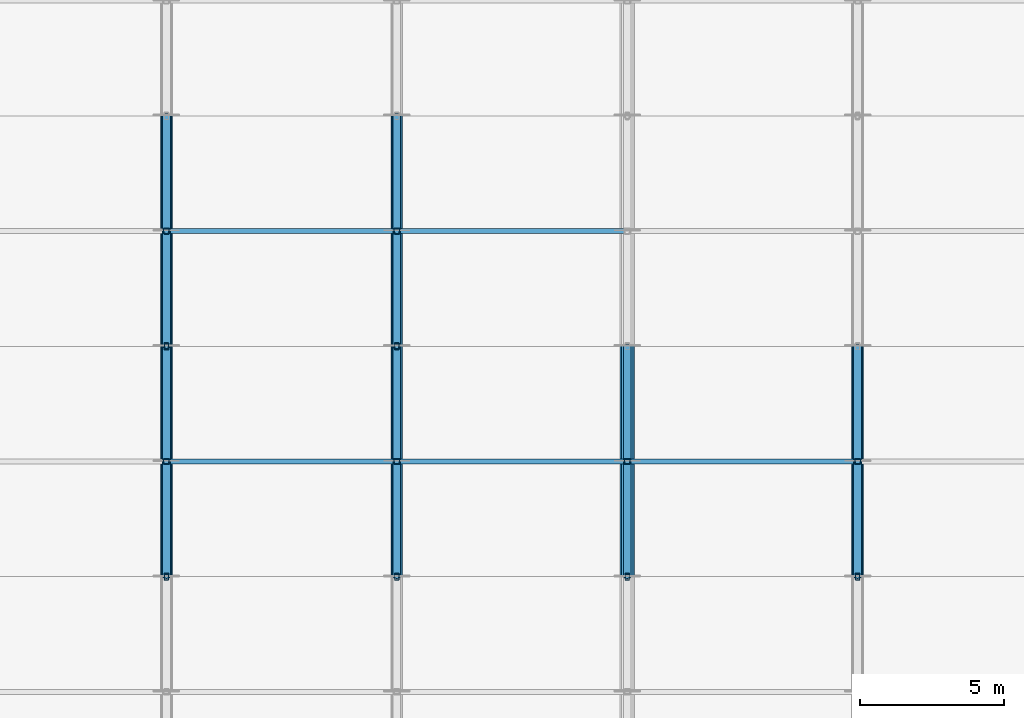
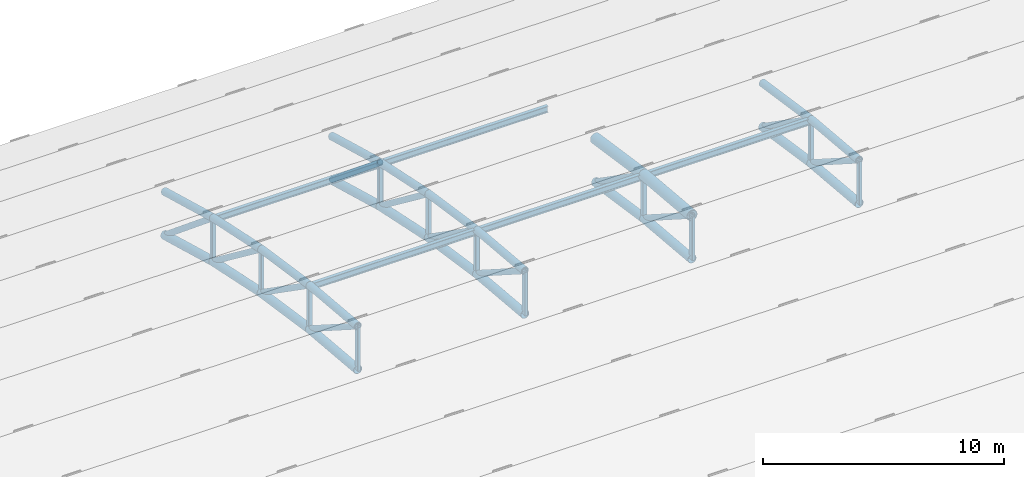
# One storey, part 51 of 98: 53 members.
"""IFC4 building model written with IfcOpenShell, lengths in metres."""

from ifc_helpers import new_model, si_unit, direction, frame, origin, origin_2d, place, context, subcontext, project, spatial, hollow_rectangle, hollow_circle, i_section, extrude, material, material_profile, profile_set, type_object, element, save


model = new_model("IFC4")

# Units and contexts
model_context = context("Model", 3, precision=1e-05, world=origin(), true_north=direction((0.0, 1.0)))
body_context = subcontext(model_context, "Body", "Model", "MODEL_VIEW")
ifc_project = project(units=[si_unit("LENGTHUNIT", "METRE"), si_unit("AREAUNIT", "SQUARE_METRE"), si_unit("VOLUMEUNIT", "CUBIC_METRE"), si_unit("PLANEANGLEUNIT", "RADIAN"), si_unit("MASSUNIT", "GRAM", prefix="KILO")], contexts=[model_context])

# Site, building, storey
site_placement = place(None, origin())
site = spatial("IfcSite", under=ifc_project, at=site_placement, CompositionType="ELEMENT")
building_placement = place(site_placement, origin())
building = spatial("IfcBuilding", under=site, at=building_placement, Name="Tlacozan Convention Centre", CompositionType="ELEMENT")
storey_placement = place(building_placement, frame((0.0, 0.0, 25.800048828125)))
storey = spatial("IfcBuildingStorey", under=building, at=storey_placement, Name="Roof", CompositionType="ELEMENT", Elevation=25.800048828125)

# Members
ifc_material_1 = material(Name="Steel ASTM A500 Grade C", Category="steel")
ifc_material_profile_1 = material_profile(ifc_material_1, hollow_circle(Radius=0.203125, WallThickness=0.015869140625, at=origin_2d()), Name="OC 406.4x15.9")
ifc_profile_set_1 = profile_set([ifc_material_profile_1], Name="Steel ASTM A500 Grade C")
member_type_1 = type_object("IfcMemberType", Name="Arch Bottom Chord OC 406.4x15.9", PredefinedType="CHORD", material=ifc_profile_set_1)
member_1_placement = place(storey_placement, frame((128.0, 98.0, -4.917724609375), z_axis=(0.0, 0.996095959668, -0.088277058926), x_axis=(-1.0, 0.0, 0.0)))
element("IfcMember", 1, at=member_1_placement, inside=storey, type_object=member_type_1, Name="V2A Roof Truss 17 Bottom Chord 10", PredefinedType="CHORD", context=body_context, shape_type="SweptSolid", body=[
    extrude(hollow_circle(Radius=0.203125, WallThickness=0.015869140625, at=origin_2d()), origin(), (0.0, 0.0, 1.0), 4.015625),
])
member_2_placement = place(storey_placement, frame((128.0, 102.0, -5.272216796875), z_axis=(0.0, 0.98911804631, -0.147124064872), x_axis=(-1.0, 0.0, 0.0)))
element("IfcMember", 2, at=member_2_placement, inside=storey, type_object=member_type_1, Name="V2A Roof Truss 17 Bottom Chord 11", PredefinedType="CHORD", context=body_context, shape_type="SweptSolid", body=[
    extrude(hollow_circle(Radius=0.203125, WallThickness=0.015869140625, at=origin_2d()), origin(), (0.0, 0.0, 1.0), 4.0439453125),
])
member_3_placement = place(storey_placement, frame((128.0, 106.0, -5.8671875), z_axis=(0.0, 0.978552953366, -0.205995430674), x_axis=(-1.0, 0.0, 0.0)))
element("IfcMember", 3, at=member_3_placement, inside=storey, type_object=member_type_1, Name="V2A Roof Truss 17 Bottom Chord 12", PredefinedType="CHORD", context=body_context, shape_type="SweptSolid", body=[
    extrude(hollow_circle(Radius=0.203125, WallThickness=0.015869140625, at=origin_2d()), origin(), (0.0, 0.0, 1.0), 4.087646484375),
])
member_4_placement = place(storey_placement, frame((128.0, 110.0, -6.709228515625), z_axis=(0.0, 0.964289609145, -0.26485005134), x_axis=(-1.0, 0.0, 0.0)))
element("IfcMember", 4, at=member_4_placement, inside=storey, type_object=member_type_1, Name="V2A Roof Truss 17 Bottom Chord 13", PredefinedType="CHORD", context=body_context, shape_type="SweptSolid", body=[
    extrude(hollow_circle(Radius=0.203125, WallThickness=0.015869140625, at=origin_2d()), origin(), (0.0, 0.0, 1.0), 4.148193359375),
])
member_5_placement = place(storey_placement, frame((136.0, 98.0, -4.917724609375), z_axis=(0.0, 0.996095959668, -0.088277058926), x_axis=(-1.0, 0.0, 0.0)))
element("IfcMember", 5, at=member_5_placement, inside=storey, type_object=member_type_1, Name="V2A Roof Truss 18 Bottom Chord 10", PredefinedType="CHORD", context=body_context, shape_type="SweptSolid", body=[
    extrude(hollow_circle(Radius=0.203125, WallThickness=0.015869140625, at=origin_2d()), origin(), (0.0, 0.0, 1.0), 4.015625),
])
member_6_placement = place(storey_placement, frame((136.0, 102.0, -5.272216796875), z_axis=(0.0, 0.98911804631, -0.147124064872), x_axis=(-1.0, 0.0, 0.0)))
element("IfcMember", 6, at=member_6_placement, inside=storey, type_object=member_type_1, Name="V2A Roof Truss 18 Bottom Chord 11", PredefinedType="CHORD", context=body_context, shape_type="SweptSolid", body=[
    extrude(hollow_circle(Radius=0.203125, WallThickness=0.015869140625, at=origin_2d()), origin(), (0.0, 0.0, 1.0), 4.0439453125),
])
member_7_placement = place(storey_placement, frame((136.0, 106.0, -5.8671875), z_axis=(0.0, 0.978552953366, -0.205995430674), x_axis=(-1.0, 0.0, 0.0)))
element("IfcMember", 7, at=member_7_placement, inside=storey, type_object=member_type_1, Name="V2A Roof Truss 18 Bottom Chord 12", PredefinedType="CHORD", context=body_context, shape_type="SweptSolid", body=[
    extrude(hollow_circle(Radius=0.203125, WallThickness=0.015869140625, at=origin_2d()), origin(), (0.0, 0.0, 1.0), 4.087646484375),
])
member_8_placement = place(storey_placement, frame((136.0, 110.0, -6.709228515625), z_axis=(0.0, 0.964289609145, -0.26485005134), x_axis=(-1.0, 0.0, 0.0)))
element("IfcMember", 8, at=member_8_placement, inside=storey, type_object=member_type_1, Name="V2A Roof Truss 18 Bottom Chord 13", PredefinedType="CHORD", context=body_context, shape_type="SweptSolid", body=[
    extrude(hollow_circle(Radius=0.203125, WallThickness=0.015869140625, at=origin_2d()), origin(), (0.0, 0.0, 1.0), 4.148193359375),
])
member_9_placement = place(storey_placement, frame((144.0, 98.0, -4.917724609375), z_axis=(0.0, 0.996095959668, -0.088277058926), x_axis=(-1.0, 0.0, 0.0)))
element("IfcMember", 9, at=member_9_placement, inside=storey, type_object=member_type_1, Name="V2A Roof Truss 19 Bottom Chord 10", PredefinedType="CHORD", context=body_context, shape_type="SweptSolid", body=[
    extrude(hollow_circle(Radius=0.203125, WallThickness=0.015869140625, at=origin_2d()), origin(), (0.0, 0.0, 1.0), 4.015625),
])
member_10_placement = place(storey_placement, frame((144.0, 102.0, -5.272216796875), z_axis=(0.0, 0.98911804631, -0.147124064872), x_axis=(-1.0, 0.0, 0.0)))
element("IfcMember", 10, at=member_10_placement, inside=storey, type_object=member_type_1, Name="V2A Roof Truss 19 Bottom Chord 11", PredefinedType="CHORD", context=body_context, shape_type="SweptSolid", body=[
    extrude(hollow_circle(Radius=0.203125, WallThickness=0.015869140625, at=origin_2d()), origin(), (0.0, 0.0, 1.0), 4.0439453125),
])
member_11_placement = place(storey_placement, frame((152.0, 98.0, -4.917724609375), z_axis=(0.0, 0.996095959668, -0.088277058926), x_axis=(-1.0, 0.0, 0.0)))
element("IfcMember", 11, at=member_11_placement, inside=storey, type_object=member_type_1, Name="V2A Roof Truss 20 Bottom Chord 10", PredefinedType="CHORD", context=body_context, shape_type="SweptSolid", body=[
    extrude(hollow_circle(Radius=0.203125, WallThickness=0.015869140625, at=origin_2d()), origin(), (0.0, 0.0, 1.0), 4.015625),
])
member_12_placement = place(storey_placement, frame((152.0, 102.0, -5.272216796875), z_axis=(0.0, 0.98911804631, -0.147124064872), x_axis=(-1.0, 0.0, 0.0)))
element("IfcMember", 12, at=member_12_placement, inside=storey, type_object=member_type_1, Name="V2A Roof Truss 20 Bottom Chord 11", PredefinedType="CHORD", context=body_context, shape_type="SweptSolid", body=[
    extrude(hollow_circle(Radius=0.203125, WallThickness=0.015869140625, at=origin_2d()), origin(), (0.0, 0.0, 1.0), 4.0439453125),
])
ifc_material_profile_2 = material_profile(ifc_material_1, hollow_circle(Radius=0.25390625, WallThickness=0.01904296875, at=origin_2d()), Name="OC 508.0x19.1")
ifc_profile_set_2 = profile_set([ifc_material_profile_2], Name="Steel ASTM A500 Grade C")
member_type_2 = type_object("IfcMemberType", Name="Arch Top Chord OC 508x19.1", PredefinedType="CHORD", material=ifc_profile_set_2)
member_13_placement = place(storey_placement, frame((144.0, 98.0, -2.7177734375), z_axis=(0.0, 0.996095959668, -0.088277058926), x_axis=(-1.0, 0.0, 0.0)))
element("IfcMember", 13, at=member_13_placement, inside=storey, type_object=member_type_2, Name="V2A Roof Truss 19 Top Chord 10", PredefinedType="CHORD", context=body_context, shape_type="SweptSolid", body=[
    extrude(hollow_circle(Radius=0.25390625, WallThickness=0.01904296875, at=origin_2d()), origin(), (0.0, 0.0, 1.0), 4.015625),
])
member_14_placement = place(storey_placement, frame((144.0, 102.0, -3.072265625), z_axis=(0.0, 0.98911804631, -0.147124064872), x_axis=(-1.0, 0.0, 0.0)))
element("IfcMember", 14, at=member_14_placement, inside=storey, type_object=member_type_2, Name="V2A Roof Truss 19 Top Chord 11", PredefinedType="CHORD", context=body_context, shape_type="SweptSolid", body=[
    extrude(hollow_circle(Radius=0.25390625, WallThickness=0.01904296875, at=origin_2d()), origin(), (0.0, 0.0, 1.0), 4.0439453125),
])
ifc_material_profile_3 = material_profile(ifc_material_1, hollow_circle(Radius=0.136474609375, WallThickness=0.0126953125, at=origin_2d()), Name="OC 273.1x12.7")
ifc_profile_set_3 = profile_set([ifc_material_profile_3], Name="Steel ASTM A500 Grade C")
member_type_3 = type_object("IfcMemberType", Name="Arch Web Diagonal OC 273.1x12.7", PredefinedType="BRACE", material=ifc_profile_set_3)
member_15_placement = place(storey_placement, frame((128.0, 98.0, -2.7177734375), z_axis=(0.0, 0.842802563321, -0.538222852785), x_axis=(-1.0, 0.0, 0.0)))
element("IfcMember", 15, at=member_15_placement, inside=storey, type_object=member_type_3, Name="V2A Roof Truss 17 Web Diagonal 10", PredefinedType="BRACE", context=body_context, shape_type="SweptSolid", body=[
    extrude(hollow_circle(Radius=0.136474609375, WallThickness=0.0126953125, at=origin_2d()), origin(), (0.0, 0.0, 1.0), 4.74609375),
])
member_16_placement = place(storey_placement, frame((128.0, 102.0, -3.072265625), z_axis=(0.0, 0.819720523855, -0.572763705877), x_axis=(-1.0, 0.0, 0.0)))
element("IfcMember", 16, at=member_16_placement, inside=storey, type_object=member_type_3, Name="V2A Roof Truss 17 Web Diagonal 11", PredefinedType="BRACE", context=body_context, shape_type="SweptSolid", body=[
    extrude(hollow_circle(Radius=0.136474609375, WallThickness=0.0126953125, at=origin_2d()), origin(), (0.0, 0.0, 1.0), 4.879638671875),
])
member_17_placement = place(storey_placement, frame((128.0, 106.0, -3.667236328125), z_axis=(0.0, 0.795971176065, -0.605334524766), x_axis=(-1.0, 0.0, 0.0)))
element("IfcMember", 17, at=member_17_placement, inside=storey, type_object=member_type_3, Name="V2A Roof Truss 17 Web Diagonal 12", PredefinedType="BRACE", context=body_context, shape_type="SweptSolid", body=[
    extrude(hollow_circle(Radius=0.136474609375, WallThickness=0.0126953125, at=origin_2d()), origin(), (0.0, 0.0, 1.0), 5.025390625),
])
member_18_placement = place(storey_placement, frame((128.0, 110.0, -4.50927734375), z_axis=(0.0, 0.771507331308, -0.63622043172), x_axis=(-1.0, 0.0, 0.0)))
element("IfcMember", 18, at=member_18_placement, inside=storey, type_object=member_type_3, Name="V2A Roof Truss 17 Web Diagonal 13", PredefinedType="BRACE", context=body_context, shape_type="SweptSolid", body=[
    extrude(hollow_circle(Radius=0.136474609375, WallThickness=0.0126953125, at=origin_2d()), origin(), (0.0, 0.0, 1.0), 5.1845703125),
])
member_19_placement = place(storey_placement, frame((136.0, 98.0, -2.7177734375), z_axis=(0.0, 0.842802563321, -0.538222852785), x_axis=(-1.0, 0.0, 0.0)))
element("IfcMember", 19, at=member_19_placement, inside=storey, type_object=member_type_3, Name="V2A Roof Truss 18 Web Diagonal 10", PredefinedType="BRACE", context=body_context, shape_type="SweptSolid", body=[
    extrude(hollow_circle(Radius=0.136474609375, WallThickness=0.0126953125, at=origin_2d()), origin(), (0.0, 0.0, 1.0), 4.74609375),
])
member_20_placement = place(storey_placement, frame((136.0, 102.0, -3.072265625), z_axis=(0.0, 0.819720523855, -0.572763705877), x_axis=(-1.0, 0.0, 0.0)))
element("IfcMember", 20, at=member_20_placement, inside=storey, type_object=member_type_3, Name="V2A Roof Truss 18 Web Diagonal 11", PredefinedType="BRACE", context=body_context, shape_type="SweptSolid", body=[
    extrude(hollow_circle(Radius=0.136474609375, WallThickness=0.0126953125, at=origin_2d()), origin(), (0.0, 0.0, 1.0), 4.879638671875),
])
member_21_placement = place(storey_placement, frame((136.0, 106.0, -3.667236328125), z_axis=(0.0, 0.795971176065, -0.605334524766), x_axis=(-1.0, 0.0, 0.0)))
element("IfcMember", 21, at=member_21_placement, inside=storey, type_object=member_type_3, Name="V2A Roof Truss 18 Web Diagonal 12", PredefinedType="BRACE", context=body_context, shape_type="SweptSolid", body=[
    extrude(hollow_circle(Radius=0.136474609375, WallThickness=0.0126953125, at=origin_2d()), origin(), (0.0, 0.0, 1.0), 5.025390625),
])
member_22_placement = place(storey_placement, frame((136.0, 110.0, -4.50927734375), z_axis=(0.0, 0.771507331308, -0.63622043172), x_axis=(-1.0, 0.0, 0.0)))
element("IfcMember", 22, at=member_22_placement, inside=storey, type_object=member_type_3, Name="V2A Roof Truss 18 Web Diagonal 13", PredefinedType="BRACE", context=body_context, shape_type="SweptSolid", body=[
    extrude(hollow_circle(Radius=0.136474609375, WallThickness=0.0126953125, at=origin_2d()), origin(), (0.0, 0.0, 1.0), 5.1845703125),
])
member_23_placement = place(storey_placement, frame((144.0, 98.0, -2.7177734375), z_axis=(0.0, 0.842802563321, -0.538222852785), x_axis=(-1.0, 0.0, 0.0)))
element("IfcMember", 23, at=member_23_placement, inside=storey, type_object=member_type_3, Name="V2A Roof Truss 19 Web Diagonal 10", PredefinedType="BRACE", context=body_context, shape_type="SweptSolid", body=[
    extrude(hollow_circle(Radius=0.136474609375, WallThickness=0.0126953125, at=origin_2d()), origin(), (0.0, 0.0, 1.0), 4.74609375),
])
member_24_placement = place(storey_placement, frame((144.0, 102.0, -3.072265625), z_axis=(0.0, 0.819720523855, -0.572763705877), x_axis=(-1.0, 0.0, 0.0)))
element("IfcMember", 24, at=member_24_placement, inside=storey, type_object=member_type_3, Name="V2A Roof Truss 19 Web Diagonal 11", PredefinedType="BRACE", context=body_context, shape_type="SweptSolid", body=[
    extrude(hollow_circle(Radius=0.136474609375, WallThickness=0.0126953125, at=origin_2d()), origin(), (0.0, 0.0, 1.0), 4.879638671875),
])
member_25_placement = place(storey_placement, frame((152.0, 98.0, -2.7177734375), z_axis=(0.0, 0.842802563321, -0.538222852785), x_axis=(-1.0, 0.0, 0.0)))
element("IfcMember", 25, at=member_25_placement, inside=storey, type_object=member_type_3, Name="V2A Roof Truss 20 Web Diagonal 10", PredefinedType="BRACE", context=body_context, shape_type="SweptSolid", body=[
    extrude(hollow_circle(Radius=0.136474609375, WallThickness=0.0126953125, at=origin_2d()), origin(), (0.0, 0.0, 1.0), 4.74609375),
])
member_26_placement = place(storey_placement, frame((152.0, 102.0, -3.072265625), z_axis=(0.0, 0.819720523855, -0.572763705877), x_axis=(-1.0, 0.0, 0.0)))
element("IfcMember", 26, at=member_26_placement, inside=storey, type_object=member_type_3, Name="V2A Roof Truss 20 Web Diagonal 11", PredefinedType="BRACE", context=body_context, shape_type="SweptSolid", body=[
    extrude(hollow_circle(Radius=0.136474609375, WallThickness=0.0126953125, at=origin_2d()), origin(), (0.0, 0.0, 1.0), 4.879638671875),
])
ifc_material_profile_4 = material_profile(ifc_material_1, hollow_rectangle(XDim=0.203125, YDim=0.203125, WallThickness=0.0126953125, InnerFilletRadius=0.0126953125, OuterFilletRadius=0.02490234375, at=origin_2d()), Name="OR 203x203x12.7")
ifc_profile_set_4 = profile_set([ifc_material_profile_4], Name="Steel ASTM A500 Grade C")
member_type_4 = type_object("IfcMemberType", Name="Arch Web Strut OR 203x203x12.7", PredefinedType="STRUT", material=ifc_profile_set_4)
for number, where, z_axis, x_axis, name in (
    (27, (128.0, 102.0, -5.272216796875), (0.0, 0.0, 1.0), (1.0, 0.0, 0.0), "V2A Roof Truss 17 Vertical Strut 11"),
    (28, (128.0, 110.0, -6.709228515625), (0.0, 0.0, 1.0), (1.0, 0.0, 0.0), "V2A Roof Truss 17 Vertical Strut 13"),
    (29, (136.0, 102.0, -5.272216796875), (0.0, 0.0, 1.0), (1.0, 0.0, 0.0), "V2A Roof Truss 18 Vertical Strut 11"),
    (30, (136.0, 110.0, -6.709228515625), (0.0, 0.0, 1.0), (1.0, 0.0, 0.0), "V2A Roof Truss 18 Vertical Strut 13"),
    (31, (144.0, 102.0, -5.272216796875), (0.0, 0.0, 1.0), (1.0, 0.0, 0.0), "V2A Roof Truss 19 Vertical Strut 11"),
    (32, (152.0, 102.0, -5.272216796875), (0.0, 0.0, 1.0), (1.0, 0.0, 0.0), "V2A Roof Truss 20 Vertical Strut 11"),
):
    element("IfcMember", number, at=place(storey_placement, frame(where, z_axis=z_axis, x_axis=x_axis)), inside=storey, type_object=member_type_4, Name=name, PredefinedType="STRUT", context=body_context, shape_type="SweptSolid", body=[
        extrude(hollow_rectangle(XDim=0.203125, YDim=0.203125, WallThickness=0.0126953125, InnerFilletRadius=0.0126953125, OuterFilletRadius=0.02490234375, at=origin_2d()), origin(), (0.0, 0.0, 1.0), 2.199951171875),
    ])
ifc_material_2 = material(Name="Steel ASTM A992 Grade 50", Category="steel")
ifc_material_profile_5 = material_profile(ifc_material_2, i_section(OverallWidth=0.1669921875, OverallDepth=0.31689453125, WebThickness=0.007568359375, FlangeThickness=0.01318359375, FilletRadius=0.010009765625, at=origin_2d()), Name="IR 305x52.2")
ifc_profile_set_5 = profile_set([ifc_material_profile_5], Name="Steel ASTM A992 Grade 50")
member_type_5 = type_object("IfcMemberType", Name="Roof Purlin IR 305x52.2", PredefinedType="PURLIN", material=ifc_profile_set_5)
for number, where, z_axis, x_axis, name in (
    (33, (128.0, 102.0, -3.13720703125), (1.0, 0.0, 0.0), (0.0, 1.0, 0.0), "V2A Roof Truss Purlin 17.11"),
    (34, (128.0, 110.0, -4.57421875), (1.0, 0.0, 0.0), (0.0, 1.0, 0.0), "V2A Roof Truss Purlin 17.13"),
    (35, (136.0, 102.0, -3.13720703125), (1.0, 0.0, 0.0), (0.0, 1.0, 0.0), "V2A Roof Truss Purlin 18.11"),
    (36, (136.0, 110.0, -4.57421875), (1.0, 0.0, 0.0), (0.0, 1.0, 0.0), "V2A Roof Truss Purlin 18.13"),
    (37, (144.0, 102.0, -3.13720703125), (1.0, 0.0, 0.0), (0.0, 1.0, 0.0), "V2A Roof Truss Purlin 19.11"),
):
    element("IfcMember", number, at=place(storey_placement, frame(where, z_axis=z_axis, x_axis=x_axis)), inside=storey, type_object=member_type_5, Name=name, PredefinedType="PURLIN", context=body_context, shape_type="SweptSolid", body=[
        extrude(i_section(OverallWidth=0.1669921875, OverallDepth=0.31689453125, WebThickness=0.007568359375, FlangeThickness=0.01318359375, FilletRadius=0.010009765625, at=origin_2d()), origin(), (0.0, 0.0, 1.0), 8.0),
    ])
ifc_material_profile_6 = material_profile(ifc_material_1, hollow_circle(Radius=0.177734375, WallThickness=0.015869140625, at=origin_2d()), Name="OC 355.6x15.9")
ifc_profile_set_6 = profile_set([ifc_material_profile_6], Name="Steel ASTM A500 Grade C")
member_type_6 = type_object("IfcMemberType", Name="Secondary Arch Chord OC 355.6x15.9", PredefinedType="CHORD", material=ifc_profile_set_6)
member_27_placement = place(storey_placement, frame((128.0, 98.0, -2.7177734375), z_axis=(0.0, 0.996095959668, -0.088277058926), x_axis=(-1.0, 0.0, 0.0)))
element("IfcMember", 38, at=member_27_placement, inside=storey, type_object=member_type_6, Name="V2A Roof Truss 17 Top Chord 10", PredefinedType="CHORD", context=body_context, shape_type="SweptSolid", body=[
    extrude(hollow_circle(Radius=0.177734375, WallThickness=0.015869140625, at=origin_2d()), origin(), (0.0, 0.0, 1.0), 4.015625),
])
member_28_placement = place(storey_placement, frame((128.0, 102.0, -3.072265625), z_axis=(0.0, 0.98911804631, -0.147124064872), x_axis=(-1.0, 0.0, 0.0)))
element("IfcMember", 39, at=member_28_placement, inside=storey, type_object=member_type_6, Name="V2A Roof Truss 17 Top Chord 11", PredefinedType="CHORD", context=body_context, shape_type="SweptSolid", body=[
    extrude(hollow_circle(Radius=0.177734375, WallThickness=0.015869140625, at=origin_2d()), origin(), (0.0, 0.0, 1.0), 4.0439453125),
])
member_29_placement = place(storey_placement, frame((128.0, 106.0, -3.667236328125), z_axis=(0.0, 0.978552953366, -0.205995430674), x_axis=(-1.0, 0.0, 0.0)))
element("IfcMember", 40, at=member_29_placement, inside=storey, type_object=member_type_6, Name="V2A Roof Truss 17 Top Chord 12", PredefinedType="CHORD", context=body_context, shape_type="SweptSolid", body=[
    extrude(hollow_circle(Radius=0.177734375, WallThickness=0.015869140625, at=origin_2d()), origin(), (0.0, 0.0, 1.0), 4.087646484375),
])
member_30_placement = place(storey_placement, frame((128.0, 110.0, -4.50927734375), z_axis=(0.0, 0.964304639076, -0.264795322949), x_axis=(-1.0, 0.0, 0.0)))
element("IfcMember", 41, at=member_30_placement, inside=storey, type_object=member_type_6, Name="V2A Roof Truss 17 Top Chord 13", PredefinedType="CHORD", context=body_context, shape_type="SweptSolid", body=[
    extrude(hollow_circle(Radius=0.177734375, WallThickness=0.015869140625, at=origin_2d()), origin(), (0.0, 0.0, 1.0), 4.14794921875),
])
member_31_placement = place(storey_placement, frame((136.0, 98.0, -2.7177734375), z_axis=(0.0, 0.996095959668, -0.088277058926), x_axis=(-1.0, 0.0, 0.0)))
element("IfcMember", 42, at=member_31_placement, inside=storey, type_object=member_type_6, Name="V2A Roof Truss 18 Top Chord 10", PredefinedType="CHORD", context=body_context, shape_type="SweptSolid", body=[
    extrude(hollow_circle(Radius=0.177734375, WallThickness=0.015869140625, at=origin_2d()), origin(), (0.0, 0.0, 1.0), 4.015625),
])
member_32_placement = place(storey_placement, frame((136.0, 102.0, -3.072265625), z_axis=(0.0, 0.98911804631, -0.147124064872), x_axis=(-1.0, 0.0, 0.0)))
element("IfcMember", 43, at=member_32_placement, inside=storey, type_object=member_type_6, Name="V2A Roof Truss 18 Top Chord 11", PredefinedType="CHORD", context=body_context, shape_type="SweptSolid", body=[
    extrude(hollow_circle(Radius=0.177734375, WallThickness=0.015869140625, at=origin_2d()), origin(), (0.0, 0.0, 1.0), 4.0439453125),
])
member_33_placement = place(storey_placement, frame((136.0, 106.0, -3.667236328125), z_axis=(0.0, 0.978552953366, -0.205995430674), x_axis=(-1.0, 0.0, 0.0)))
element("IfcMember", 44, at=member_33_placement, inside=storey, type_object=member_type_6, Name="V2A Roof Truss 18 Top Chord 12", PredefinedType="CHORD", context=body_context, shape_type="SweptSolid", body=[
    extrude(hollow_circle(Radius=0.177734375, WallThickness=0.015869140625, at=origin_2d()), origin(), (0.0, 0.0, 1.0), 4.087646484375),
])
member_34_placement = place(storey_placement, frame((136.0, 110.0, -4.50927734375), z_axis=(0.0, 0.964304639076, -0.264795322949), x_axis=(-1.0, 0.0, 0.0)))
element("IfcMember", 45, at=member_34_placement, inside=storey, type_object=member_type_6, Name="V2A Roof Truss 18 Top Chord 13", PredefinedType="CHORD", context=body_context, shape_type="SweptSolid", body=[
    extrude(hollow_circle(Radius=0.177734375, WallThickness=0.015869140625, at=origin_2d()), origin(), (0.0, 0.0, 1.0), 4.14794921875),
])
member_35_placement = place(storey_placement, frame((152.0, 98.0, -2.7177734375), z_axis=(0.0, 0.996095959668, -0.088277058926), x_axis=(-1.0, 0.0, 0.0)))
element("IfcMember", 46, at=member_35_placement, inside=storey, type_object=member_type_6, Name="V2A Roof Truss 20 Top Chord 10", PredefinedType="CHORD", context=body_context, shape_type="SweptSolid", body=[
    extrude(hollow_circle(Radius=0.177734375, WallThickness=0.015869140625, at=origin_2d()), origin(), (0.0, 0.0, 1.0), 4.015625),
])
member_36_placement = place(storey_placement, frame((152.0, 102.0, -3.072265625), z_axis=(0.0, 0.98911804631, -0.147124064872), x_axis=(-1.0, 0.0, 0.0)))
element("IfcMember", 47, at=member_36_placement, inside=storey, type_object=member_type_6, Name="V2A Roof Truss 20 Top Chord 11", PredefinedType="CHORD", context=body_context, shape_type="SweptSolid", body=[
    extrude(hollow_circle(Radius=0.177734375, WallThickness=0.015869140625, at=origin_2d()), origin(), (0.0, 0.0, 1.0), 4.0439453125),
])
ifc_material_profile_7 = material_profile(ifc_material_1, hollow_rectangle(XDim=0.15234375, YDim=0.25390625, WallThickness=0.0126953125, InnerFilletRadius=0.0126953125, OuterFilletRadius=0.02490234375, at=origin_2d()), Name="OR 254x152x12.7")
ifc_profile_set_7 = profile_set([ifc_material_profile_7], Name="Steel ASTM A500 Grade C")
member_type_7 = type_object("IfcMemberType", Name="Truss Secondary Strut OR 254x152x12.7", PredefinedType="STRUT", material=ifc_profile_set_7)
for number, where, z_axis, x_axis, name in (
    (48, (128.0, 98.0, -4.917724609375), (0.0, 0.0, 1.0), (1.0, 0.0, 0.0), "V2A Roof Truss 17 Vertical Strut 10"),
    (49, (128.0, 106.0, -5.8671875), (0.0, 0.0, 1.0), (1.0, 0.0, 0.0), "V2A Roof Truss 17 Vertical Strut 12"),
    (50, (136.0, 98.0, -4.917724609375), (0.0, 0.0, 1.0), (1.0, 0.0, 0.0), "V2A Roof Truss 18 Vertical Strut 10"),
    (51, (136.0, 106.0, -5.8671875), (0.0, 0.0, 1.0), (1.0, 0.0, 0.0), "V2A Roof Truss 18 Vertical Strut 12"),
    (52, (144.0, 98.0, -4.917724609375), (0.0, 0.0, 1.0), (1.0, 0.0, 0.0), "V2A Roof Truss 19 Vertical Strut 10"),
    (53, (152.0, 98.0, -4.917724609375), (0.0, 0.0, 1.0), (1.0, 0.0, 0.0), "V2A Roof Truss 20 Vertical Strut 10"),
):
    element("IfcMember", number, at=place(storey_placement, frame(where, z_axis=z_axis, x_axis=x_axis)), inside=storey, type_object=member_type_7, Name=name, PredefinedType="STRUT", context=body_context, shape_type="SweptSolid", body=[
        extrude(hollow_rectangle(XDim=0.15234375, YDim=0.25390625, WallThickness=0.0126953125, InnerFilletRadius=0.0126953125, OuterFilletRadius=0.02490234375, at=origin_2d()), origin(), (0.0, 0.0, 1.0), 2.199951171875),
    ])

save(model, "model.ifc")
